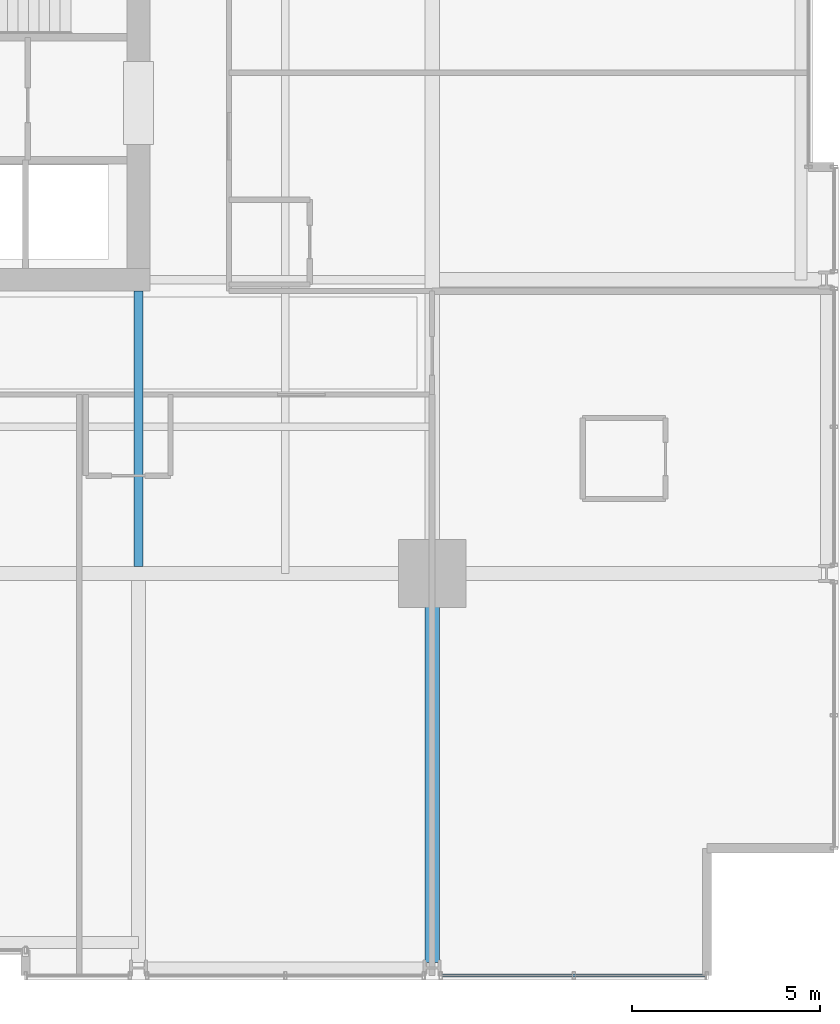
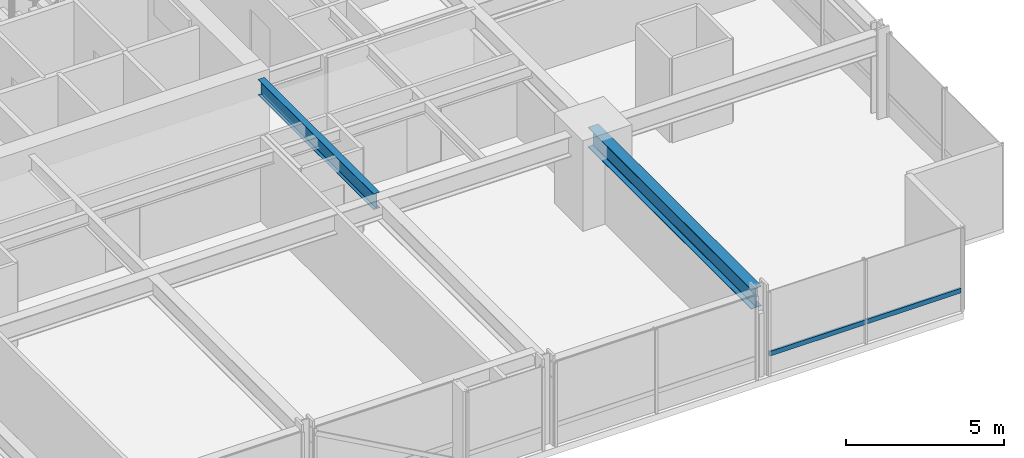
# One storey, part 12 of 38: 2 beams, 1 member, 1 element without a shape of its own.
"""IFC4 building model written with IfcOpenShell, lengths in metres."""

from ifc_helpers import new_model, si_unit, direction, frame, origin, origin_2d, place, context, subcontext, project, spatial, hollow_rectangle, i_section, extrude, material, layer, layer_set, material_profile, profile_set, type_object, element, aggregate, save


model = new_model("IFC4")

# Units and contexts
model_context = context("Model", 3, precision=1e-05, world=origin(), true_north=direction((0.0, 1.0)))
body_context = subcontext(model_context, "Body", "Model", "MODEL_VIEW")
ifc_project = project(units=[si_unit("LENGTHUNIT", "METRE"), si_unit("AREAUNIT", "SQUARE_METRE"), si_unit("VOLUMEUNIT", "CUBIC_METRE"), si_unit("PLANEANGLEUNIT", "RADIAN"), si_unit("MASSUNIT", "GRAM", prefix="KILO")], contexts=[model_context])

# Site, building, storey
site_placement = place(None, origin())
site = spatial("IfcSite", under=ifc_project, at=site_placement, CompositionType="ELEMENT")
building_placement = place(site_placement, origin())
building = spatial("IfcBuilding", under=site, at=building_placement, Name="Drelvath Grand Hotel", CompositionType="ELEMENT")
storey_placement = place(building_placement, frame((0.0, 0.0, 71.699951171875)))
storey = spatial("IfcBuildingStorey", under=building, at=storey_placement, Name="L17", CompositionType="ELEMENT", Elevation=71.699951171875)

# Curtain wall, member
ifc_material_1 = material(Name="Warm Bronze Anodised Aluminium Frame", Category="aluminium")
ifc_layer = layer(ifc_material_1, 0.199951171875)
ifc_layer_set = layer_set([ifc_layer], Name="Warm Bronze Anodised Aluminium Frame")
curtain_wall_type = type_object("IfcCurtainWallType", Name="Stick Curtain Wall CW-02 Warm Bronze Low-Rise", PredefinedType="NOTDEFINED", material=ifc_layer_set)
curtain_wall_placement = place(storey_placement, origin())
curtain_wall = element("IfcCurtainWall", 1, at=curtain_wall_placement, inside=storey, type_object=curtain_wall_type, Name="L17 CW-02 Curtain Wall CW02-L17-SE3", PredefinedType="NOTDEFINED")
ifc_material_profile_1 = material_profile(ifc_material_1, hollow_rectangle(XDim=0.074951171875, YDim=0.179931640625, WallThickness=0.0048828125, at=origin_2d()), Name="HSS180X75X5")
ifc_profile_set_1 = profile_set([ifc_material_profile_1], Name="Warm Bronze Anodised Aluminium Frame")
member_type = type_object("IfcMemberType", Name="Curtain Wall Horizontal Transom CW-02 HSS180X75X5", PredefinedType="USERDEFINED", material=ifc_profile_set_1)
member_placement = place(storey_placement, frame((23.4599609375, 0.1201171875, 0.81005859375), z_axis=(-1.0, 0.0, 0.0), x_axis=(0.0, -1.0, 0.0)))
member = element("IfcMember", 2, at=member_placement, type_object=member_type, Name="CW02-L17-SE3 Sill Transom", ObjectType="TRANSOM", PredefinedType="USERDEFINED", context=body_context, shape_type="SweptSolid", body=[
    extrude(hollow_rectangle(XDim=0.074951171875, YDim=0.179931640625, WallThickness=0.0048828125, at=origin_2d()), origin(), (0.0, 0.0, 1.0), 6.990966796875),
])
aggregate(curtain_wall, [member])

# Beams
ifc_material_2 = material(Name="Steel ASTM A992 Gr 50", Category="steel")
ifc_material_profile_2 = material_profile(ifc_material_2, i_section(OverallWidth=0.228271484375, OverallDepth=0.607666015625, WebThickness=0.01123046875, FlangeThickness=0.017333984375, FilletRadius=0.02001953125, at=origin_2d()), Name="W24X76")
ifc_profile_set_2 = profile_set([ifc_material_profile_2], Name="Steel ASTM A992 Gr 50")
beam_type_1 = type_object("IfcBeamType", Name="Primary Floor Girder W24X76", PredefinedType="BEAM", material=ifc_profile_set_2)
beam_1_placement = place(storey_placement, frame((8.39990234375, 10.990234375, 2.936279296875), z_axis=(0.0, 1.0, 0.0), x_axis=(-1.0, 0.0, 0.0)))
element("IfcBeam", 3, at=beam_1_placement, inside=storey, type_object=beam_type_1, Name="L17 South Core Tie 6", PredefinedType="BEAM", context=body_context, shape_type="SweptSolid", body=[
    extrude(i_section(OverallWidth=0.228271484375, OverallDepth=0.607666015625, WebThickness=0.01123046875, FlangeThickness=0.017333984375, FilletRadius=0.02001953125, at=origin_2d()), origin(), (0.0, 0.0, 1.0), 7.309814453125),
])
ifc_material_profile_3 = material_profile(ifc_material_2, i_section(OverallWidth=0.380615234375, OverallDepth=0.773193359375, WebThickness=0.0166015625, FlangeThickness=0.027099609375, FilletRadius=0.02490234375, at=origin_2d()), Name="W30X173")
ifc_profile_set_3 = profile_set([ifc_material_profile_3], Name="Steel ASTM A992 Gr 50")
beam_type_2 = type_object("IfcBeamType", Name="Primary Floor Girder W30X173", PredefinedType="BEAM", material=ifc_profile_set_3)
beam_2_placement = place(storey_placement, frame((16.199951171875, 0.4599609375, 2.853515625), z_axis=(0.0, 1.0, 0.0), x_axis=(-1.0, 0.0, 0.0)))
element("IfcBeam", 4, at=beam_2_placement, inside=storey, type_object=beam_type_2, Name="L17 South Grid Girder 7", PredefinedType="BEAM", context=body_context, shape_type="SweptSolid", body=[
    extrude(i_section(OverallWidth=0.380615234375, OverallDepth=0.773193359375, WebThickness=0.0166015625, FlangeThickness=0.027099609375, FilletRadius=0.02490234375, at=origin_2d()), origin(), (0.0, 0.0, 1.0), 10.340087890625),
])

save(model, "model.ifc")
